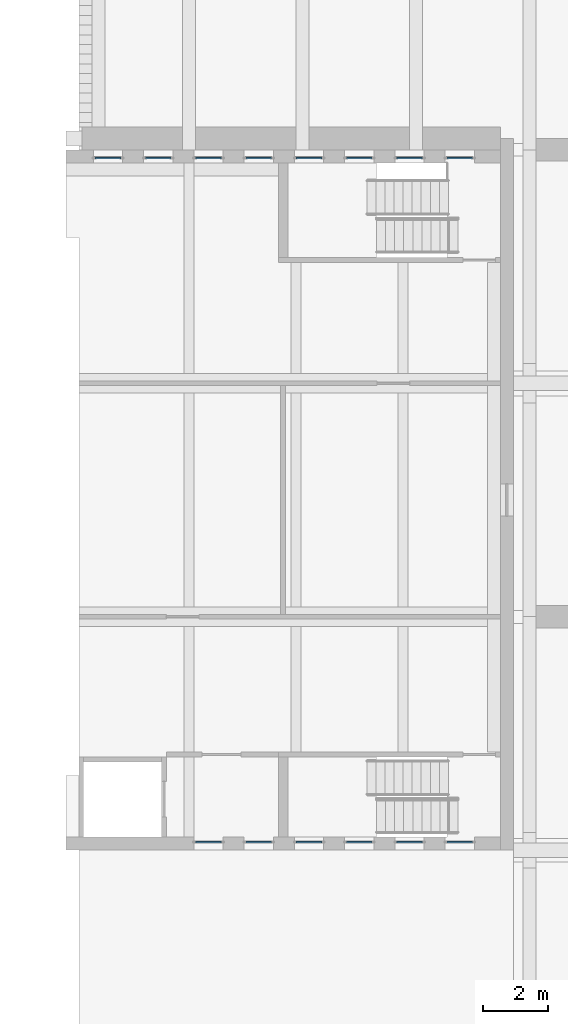
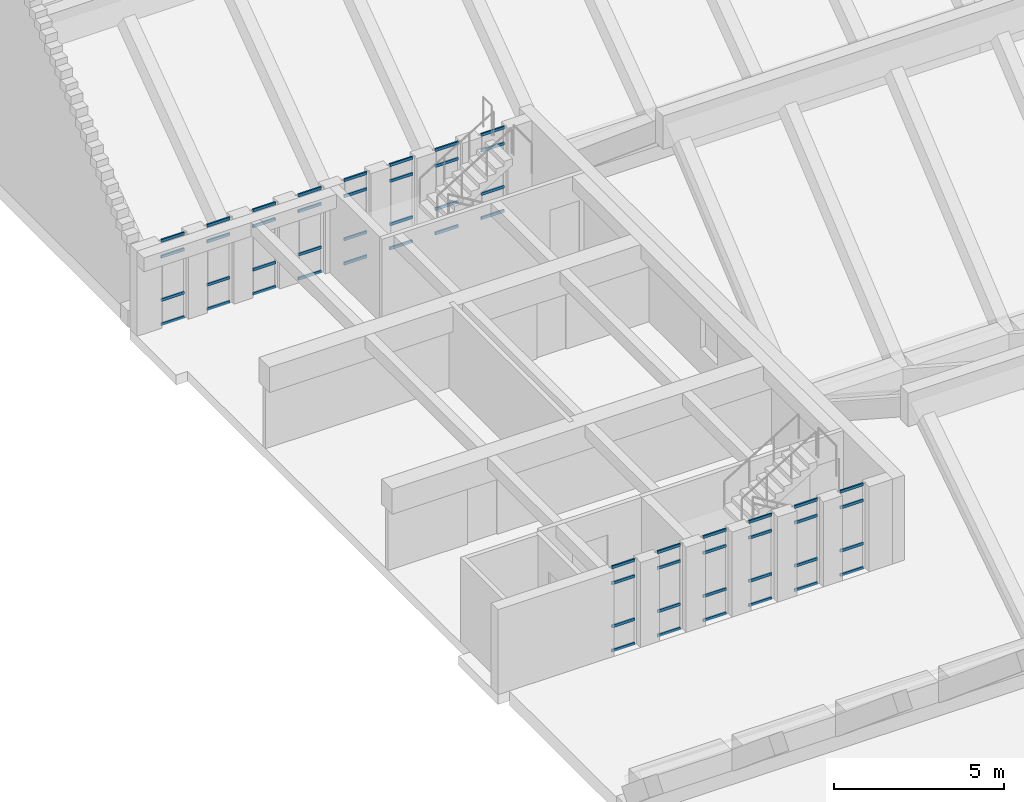
# One storey, part 15 of 31: 56 members, 14 elements without a shape of their own.
"""IFC4 building model written with IfcOpenShell, lengths in metres."""

from ifc_helpers import new_model, si_unit, direction, frame, origin, origin_2d, place, context, subcontext, project, spatial, rectangle, extrude, material, material_profile, profile_set, type_object, element, aggregate, save


model = new_model("IFC4")

# Units and contexts
model_context = context("Model", 3, precision=1e-05, world=origin(), true_north=direction((0.0, 1.0)))
body_context = subcontext(model_context, "Body", "Model", "MODEL_VIEW")
ifc_project = project(units=[si_unit("LENGTHUNIT", "METRE"), si_unit("AREAUNIT", "SQUARE_METRE"), si_unit("VOLUMEUNIT", "CUBIC_METRE"), si_unit("PLANEANGLEUNIT", "RADIAN"), si_unit("MASSUNIT", "GRAM", prefix="KILO")], contexts=[model_context])

# Site, building, storey
site_placement = place(None, origin())
site = spatial("IfcSite", under=ifc_project, at=site_placement, CompositionType="ELEMENT")
building_placement = place(site_placement, origin())
building = spatial("IfcBuilding", under=site, at=building_placement, Name="Vermilion Court Aquatics Centre", CompositionType="ELEMENT")
storey_placement = place(building_placement, frame((0.0, 0.0, 16.5)))
storey = spatial("IfcBuildingStorey", under=building, at=storey_placement, Name="L03", CompositionType="ELEMENT", Elevation=16.5)

# Curtain wall, members
ifc_material_1 = material(Name="Aluminium 6063-T5", Category="aluminium")
curtain_wall_type = type_object("IfcCurtainWallType", Name="Diving Tower slot curtain wall 900 module", PredefinedType="NOTDEFINED", material=ifc_material_1)
curtain_wall_1_placement = place(storey_placement, origin())
curtain_wall_1 = element("IfcCurtainWall", 1, at=curtain_wall_1_placement, inside=storey, type_object=curtain_wall_type, Name="Diving Tower slot window north 1 L03", PredefinedType="NOTDEFINED")
ifc_material_2 = material(Name="Aluminium 6063-T5", Category="aluminium")
ifc_material_profile = material_profile(ifc_material_2, rectangle(XDim=0.050048828125, YDim=0.10009765625, at=origin_2d()), Name="AL 50x100")
ifc_profile_set = profile_set([ifc_material_profile], Name="Aluminium 6063-T5")
member_type = type_object("IfcMemberType", Name="Diving Tower slot transom 50x100", PredefinedType="USERDEFINED", material=ifc_profile_set)
member_1_placement = place(storey_placement, frame((145.010009765625, 57.35009765625, 0.030029296875), z_axis=(1.0, 0.0, 0.0), x_axis=(0.0, 1.0, 0.0)))
member_1 = element("IfcMember", 2, at=member_1_placement, type_object=member_type, Name="UCW3 transom 1.1", ObjectType="TRANSOM", PredefinedType="USERDEFINED", context=body_context, shape_type="SweptSolid", body=[
    extrude(rectangle(XDim=0.050048828125, YDim=0.10009765625, at=origin_2d()), origin(), (0.0, 0.0, 1.0), 0.780029296875),
])
member_2_placement = place(storey_placement, frame((145.010009765625, 57.35009765625, 0.89990234375), z_axis=(1.0, 0.0, 0.0), x_axis=(0.0, 1.0, 0.0)))
member_2 = element("IfcMember", 3, at=member_2_placement, type_object=member_type, Name="UCW3 transom 1.2", ObjectType="TRANSOM", PredefinedType="USERDEFINED", context=body_context, shape_type="SweptSolid", body=[
    extrude(rectangle(XDim=0.050048828125, YDim=0.10009765625, at=origin_2d()), origin(), (0.0, 0.0, 1.0), 0.780029296875),
])
member_3_placement = place(storey_placement, frame((145.010009765625, 57.35009765625, 2.449951171875), z_axis=(1.0, 0.0, 0.0), x_axis=(0.0, 1.0, 0.0)))
member_3 = element("IfcMember", 4, at=member_3_placement, type_object=member_type, Name="UCW3 transom 1.3", ObjectType="TRANSOM", PredefinedType="USERDEFINED", context=body_context, shape_type="SweptSolid", body=[
    extrude(rectangle(XDim=0.050048828125, YDim=0.10009765625, at=origin_2d()), origin(), (0.0, 0.0, 1.0), 0.780029296875),
])
member_4_placement = place(storey_placement, frame((145.010009765625, 57.35009765625, 3.02001953125), z_axis=(1.0, 0.0, 0.0), x_axis=(0.0, 1.0, 0.0)))
member_4 = element("IfcMember", 5, at=member_4_placement, type_object=member_type, Name="UCW3 transom 1.4", ObjectType="TRANSOM", PredefinedType="USERDEFINED", context=body_context, shape_type="SweptSolid", body=[
    extrude(rectangle(XDim=0.050048828125, YDim=0.10009765625, at=origin_2d()), origin(), (0.0, 0.0, 1.0), 0.780029296875),
])
aggregate(curtain_wall_1, [member_1, member_2, member_3, member_4])

curtain_wall_2_placement = place(storey_placement, origin())
curtain_wall_2 = element("IfcCurtainWall", 6, at=curtain_wall_2_placement, inside=storey, type_object=curtain_wall_type, Name="Diving Tower slot window north 2 L03", PredefinedType="NOTDEFINED")
member_5_placement = place(storey_placement, frame((146.56005859375, 57.35009765625, 0.030029296875), z_axis=(1.0, 0.0, 0.0), x_axis=(0.0, 1.0, 0.0)))
member_5 = element("IfcMember", 7, at=member_5_placement, type_object=member_type, Name="UCW3 transom 1.1", ObjectType="TRANSOM", PredefinedType="USERDEFINED", context=body_context, shape_type="SweptSolid", body=[
    extrude(rectangle(XDim=0.050048828125, YDim=0.10009765625, at=origin_2d()), origin(), (0.0, 0.0, 1.0), 0.780029296875),
])
member_6_placement = place(storey_placement, frame((146.56005859375, 57.35009765625, 0.89990234375), z_axis=(1.0, 0.0, 0.0), x_axis=(0.0, 1.0, 0.0)))
member_6 = element("IfcMember", 8, at=member_6_placement, type_object=member_type, Name="UCW3 transom 1.2", ObjectType="TRANSOM", PredefinedType="USERDEFINED", context=body_context, shape_type="SweptSolid", body=[
    extrude(rectangle(XDim=0.050048828125, YDim=0.10009765625, at=origin_2d()), origin(), (0.0, 0.0, 1.0), 0.780029296875),
])
member_7_placement = place(storey_placement, frame((146.56005859375, 57.35009765625, 2.449951171875), z_axis=(1.0, 0.0, 0.0), x_axis=(0.0, 1.0, 0.0)))
member_7 = element("IfcMember", 9, at=member_7_placement, type_object=member_type, Name="UCW3 transom 1.3", ObjectType="TRANSOM", PredefinedType="USERDEFINED", context=body_context, shape_type="SweptSolid", body=[
    extrude(rectangle(XDim=0.050048828125, YDim=0.10009765625, at=origin_2d()), origin(), (0.0, 0.0, 1.0), 0.780029296875),
])
member_8_placement = place(storey_placement, frame((146.56005859375, 57.35009765625, 3.02001953125), z_axis=(1.0, 0.0, 0.0), x_axis=(0.0, 1.0, 0.0)))
member_8 = element("IfcMember", 10, at=member_8_placement, type_object=member_type, Name="UCW3 transom 1.4", ObjectType="TRANSOM", PredefinedType="USERDEFINED", context=body_context, shape_type="SweptSolid", body=[
    extrude(rectangle(XDim=0.050048828125, YDim=0.10009765625, at=origin_2d()), origin(), (0.0, 0.0, 1.0), 0.780029296875),
])
aggregate(curtain_wall_2, [member_5, member_6, member_7, member_8])

curtain_wall_3_placement = place(storey_placement, origin())
curtain_wall_3 = element("IfcCurtainWall", 11, at=curtain_wall_3_placement, inside=storey, type_object=curtain_wall_type, Name="Diving Tower slot window north 3 L03", PredefinedType="NOTDEFINED")
member_9_placement = place(storey_placement, frame((148.110107421875, 57.35009765625, 0.030029296875), z_axis=(1.0, 0.0, 0.0), x_axis=(0.0, 1.0, 0.0)))
member_9 = element("IfcMember", 12, at=member_9_placement, type_object=member_type, Name="UCW3 transom 1.1", ObjectType="TRANSOM", PredefinedType="USERDEFINED", context=body_context, shape_type="SweptSolid", body=[
    extrude(rectangle(XDim=0.050048828125, YDim=0.10009765625, at=origin_2d()), origin(), (0.0, 0.0, 1.0), 0.77978515625),
])
member_10_placement = place(storey_placement, frame((148.110107421875, 57.35009765625, 0.89990234375), z_axis=(1.0, 0.0, 0.0), x_axis=(0.0, 1.0, 0.0)))
member_10 = element("IfcMember", 13, at=member_10_placement, type_object=member_type, Name="UCW3 transom 1.2", ObjectType="TRANSOM", PredefinedType="USERDEFINED", context=body_context, shape_type="SweptSolid", body=[
    extrude(rectangle(XDim=0.050048828125, YDim=0.10009765625, at=origin_2d()), origin(), (0.0, 0.0, 1.0), 0.77978515625),
])
member_11_placement = place(storey_placement, frame((148.110107421875, 57.35009765625, 2.449951171875), z_axis=(1.0, 0.0, 0.0), x_axis=(0.0, 1.0, 0.0)))
member_11 = element("IfcMember", 14, at=member_11_placement, type_object=member_type, Name="UCW3 transom 1.3", ObjectType="TRANSOM", PredefinedType="USERDEFINED", context=body_context, shape_type="SweptSolid", body=[
    extrude(rectangle(XDim=0.050048828125, YDim=0.10009765625, at=origin_2d()), origin(), (0.0, 0.0, 1.0), 0.77978515625),
])
member_12_placement = place(storey_placement, frame((148.110107421875, 57.35009765625, 3.02001953125), z_axis=(1.0, 0.0, 0.0), x_axis=(0.0, 1.0, 0.0)))
member_12 = element("IfcMember", 15, at=member_12_placement, type_object=member_type, Name="UCW3 transom 1.4", ObjectType="TRANSOM", PredefinedType="USERDEFINED", context=body_context, shape_type="SweptSolid", body=[
    extrude(rectangle(XDim=0.050048828125, YDim=0.10009765625, at=origin_2d()), origin(), (0.0, 0.0, 1.0), 0.77978515625),
])
aggregate(curtain_wall_3, [member_9, member_10, member_11, member_12])

curtain_wall_4_placement = place(storey_placement, origin())
curtain_wall_4 = element("IfcCurtainWall", 16, at=curtain_wall_4_placement, inside=storey, type_object=curtain_wall_type, Name="Diving Tower slot window north 4 L03", PredefinedType="NOTDEFINED")
member_13_placement = place(storey_placement, frame((149.659912109375, 57.35009765625, 0.030029296875), z_axis=(1.0, 0.0, 0.0), x_axis=(0.0, 1.0, 0.0)))
member_13 = element("IfcMember", 17, at=member_13_placement, type_object=member_type, Name="UCW3 transom 1.1", ObjectType="TRANSOM", PredefinedType="USERDEFINED", context=body_context, shape_type="SweptSolid", body=[
    extrude(rectangle(XDim=0.050048828125, YDim=0.10009765625, at=origin_2d()), origin(), (0.0, 0.0, 1.0), 0.780029296875),
])
member_14_placement = place(storey_placement, frame((149.659912109375, 57.35009765625, 0.89990234375), z_axis=(1.0, 0.0, 0.0), x_axis=(0.0, 1.0, 0.0)))
member_14 = element("IfcMember", 18, at=member_14_placement, type_object=member_type, Name="UCW3 transom 1.2", ObjectType="TRANSOM", PredefinedType="USERDEFINED", context=body_context, shape_type="SweptSolid", body=[
    extrude(rectangle(XDim=0.050048828125, YDim=0.10009765625, at=origin_2d()), origin(), (0.0, 0.0, 1.0), 0.780029296875),
])
member_15_placement = place(storey_placement, frame((149.659912109375, 57.35009765625, 2.449951171875), z_axis=(1.0, 0.0, 0.0), x_axis=(0.0, 1.0, 0.0)))
member_15 = element("IfcMember", 19, at=member_15_placement, type_object=member_type, Name="UCW3 transom 1.3", ObjectType="TRANSOM", PredefinedType="USERDEFINED", context=body_context, shape_type="SweptSolid", body=[
    extrude(rectangle(XDim=0.050048828125, YDim=0.10009765625, at=origin_2d()), origin(), (0.0, 0.0, 1.0), 0.780029296875),
])
member_16_placement = place(storey_placement, frame((149.659912109375, 57.35009765625, 3.02001953125), z_axis=(1.0, 0.0, 0.0), x_axis=(0.0, 1.0, 0.0)))
member_16 = element("IfcMember", 20, at=member_16_placement, type_object=member_type, Name="UCW3 transom 1.4", ObjectType="TRANSOM", PredefinedType="USERDEFINED", context=body_context, shape_type="SweptSolid", body=[
    extrude(rectangle(XDim=0.050048828125, YDim=0.10009765625, at=origin_2d()), origin(), (0.0, 0.0, 1.0), 0.780029296875),
])
aggregate(curtain_wall_4, [member_13, member_14, member_15, member_16])

curtain_wall_5_placement = place(storey_placement, origin())
curtain_wall_5 = element("IfcCurtainWall", 21, at=curtain_wall_5_placement, inside=storey, type_object=curtain_wall_type, Name="Diving Tower slot window north 5 L03", PredefinedType="NOTDEFINED")
member_17_placement = place(storey_placement, frame((151.2099609375, 57.35009765625, 0.030029296875), z_axis=(1.0, 0.0, 0.0), x_axis=(0.0, 1.0, 0.0)))
member_17 = element("IfcMember", 22, at=member_17_placement, type_object=member_type, Name="UCW3 transom 1.1", ObjectType="TRANSOM", PredefinedType="USERDEFINED", context=body_context, shape_type="SweptSolid", body=[
    extrude(rectangle(XDim=0.050048828125, YDim=0.10009765625, at=origin_2d()), origin(), (0.0, 0.0, 1.0), 0.780029296875),
])
member_18_placement = place(storey_placement, frame((151.2099609375, 57.35009765625, 0.89990234375), z_axis=(1.0, 0.0, 0.0), x_axis=(0.0, 1.0, 0.0)))
member_18 = element("IfcMember", 23, at=member_18_placement, type_object=member_type, Name="UCW3 transom 1.2", ObjectType="TRANSOM", PredefinedType="USERDEFINED", context=body_context, shape_type="SweptSolid", body=[
    extrude(rectangle(XDim=0.050048828125, YDim=0.10009765625, at=origin_2d()), origin(), (0.0, 0.0, 1.0), 0.780029296875),
])
member_19_placement = place(storey_placement, frame((151.2099609375, 57.35009765625, 2.449951171875), z_axis=(1.0, 0.0, 0.0), x_axis=(0.0, 1.0, 0.0)))
member_19 = element("IfcMember", 24, at=member_19_placement, type_object=member_type, Name="UCW3 transom 1.3", ObjectType="TRANSOM", PredefinedType="USERDEFINED", context=body_context, shape_type="SweptSolid", body=[
    extrude(rectangle(XDim=0.050048828125, YDim=0.10009765625, at=origin_2d()), origin(), (0.0, 0.0, 1.0), 0.780029296875),
])
member_20_placement = place(storey_placement, frame((151.2099609375, 57.35009765625, 3.02001953125), z_axis=(1.0, 0.0, 0.0), x_axis=(0.0, 1.0, 0.0)))
member_20 = element("IfcMember", 25, at=member_20_placement, type_object=member_type, Name="UCW3 transom 1.4", ObjectType="TRANSOM", PredefinedType="USERDEFINED", context=body_context, shape_type="SweptSolid", body=[
    extrude(rectangle(XDim=0.050048828125, YDim=0.10009765625, at=origin_2d()), origin(), (0.0, 0.0, 1.0), 0.780029296875),
])
aggregate(curtain_wall_5, [member_17, member_18, member_19, member_20])

curtain_wall_6_placement = place(storey_placement, origin())
curtain_wall_6 = element("IfcCurtainWall", 26, at=curtain_wall_6_placement, inside=storey, type_object=curtain_wall_type, Name="Diving Tower slot window north 6 L03", PredefinedType="NOTDEFINED")
member_21_placement = place(storey_placement, frame((152.760009765625, 57.35009765625, 0.030029296875), z_axis=(1.0, 0.0, 0.0), x_axis=(0.0, 1.0, 0.0)))
member_21 = element("IfcMember", 27, at=member_21_placement, type_object=member_type, Name="UCW3 transom 1.1", ObjectType="TRANSOM", PredefinedType="USERDEFINED", context=body_context, shape_type="SweptSolid", body=[
    extrude(rectangle(XDim=0.050048828125, YDim=0.10009765625, at=origin_2d()), origin(), (0.0, 0.0, 1.0), 0.780029296875),
])
member_22_placement = place(storey_placement, frame((152.760009765625, 57.35009765625, 0.89990234375), z_axis=(1.0, 0.0, 0.0), x_axis=(0.0, 1.0, 0.0)))
member_22 = element("IfcMember", 28, at=member_22_placement, type_object=member_type, Name="UCW3 transom 1.2", ObjectType="TRANSOM", PredefinedType="USERDEFINED", context=body_context, shape_type="SweptSolid", body=[
    extrude(rectangle(XDim=0.050048828125, YDim=0.10009765625, at=origin_2d()), origin(), (0.0, 0.0, 1.0), 0.780029296875),
])
member_23_placement = place(storey_placement, frame((152.760009765625, 57.35009765625, 2.449951171875), z_axis=(1.0, 0.0, 0.0), x_axis=(0.0, 1.0, 0.0)))
member_23 = element("IfcMember", 29, at=member_23_placement, type_object=member_type, Name="UCW3 transom 1.3", ObjectType="TRANSOM", PredefinedType="USERDEFINED", context=body_context, shape_type="SweptSolid", body=[
    extrude(rectangle(XDim=0.050048828125, YDim=0.10009765625, at=origin_2d()), origin(), (0.0, 0.0, 1.0), 0.780029296875),
])
member_24_placement = place(storey_placement, frame((152.760009765625, 57.35009765625, 3.02001953125), z_axis=(1.0, 0.0, 0.0), x_axis=(0.0, 1.0, 0.0)))
member_24 = element("IfcMember", 30, at=member_24_placement, type_object=member_type, Name="UCW3 transom 1.4", ObjectType="TRANSOM", PredefinedType="USERDEFINED", context=body_context, shape_type="SweptSolid", body=[
    extrude(rectangle(XDim=0.050048828125, YDim=0.10009765625, at=origin_2d()), origin(), (0.0, 0.0, 1.0), 0.780029296875),
])
aggregate(curtain_wall_6, [member_21, member_22, member_23, member_24])

curtain_wall_7_placement = place(storey_placement, origin())
curtain_wall_7 = element("IfcCurtainWall", 31, at=curtain_wall_7_placement, inside=storey, type_object=curtain_wall_type, Name="Diving Tower slot window north 7 L03", PredefinedType="NOTDEFINED")
member_25_placement = place(storey_placement, frame((154.31005859375, 57.35009765625, 0.030029296875), z_axis=(1.0, 0.0, 0.0), x_axis=(0.0, 1.0, 0.0)))
member_25 = element("IfcMember", 32, at=member_25_placement, type_object=member_type, Name="UCW3 transom 1.1", ObjectType="TRANSOM", PredefinedType="USERDEFINED", context=body_context, shape_type="SweptSolid", body=[
    extrude(rectangle(XDim=0.050048828125, YDim=0.10009765625, at=origin_2d()), origin(), (0.0, 0.0, 1.0), 0.780029296875),
])
member_26_placement = place(storey_placement, frame((154.31005859375, 57.35009765625, 0.89990234375), z_axis=(1.0, 0.0, 0.0), x_axis=(0.0, 1.0, 0.0)))
member_26 = element("IfcMember", 33, at=member_26_placement, type_object=member_type, Name="UCW3 transom 1.2", ObjectType="TRANSOM", PredefinedType="USERDEFINED", context=body_context, shape_type="SweptSolid", body=[
    extrude(rectangle(XDim=0.050048828125, YDim=0.10009765625, at=origin_2d()), origin(), (0.0, 0.0, 1.0), 0.780029296875),
])
member_27_placement = place(storey_placement, frame((154.31005859375, 57.35009765625, 2.449951171875), z_axis=(1.0, 0.0, 0.0), x_axis=(0.0, 1.0, 0.0)))
member_27 = element("IfcMember", 34, at=member_27_placement, type_object=member_type, Name="UCW3 transom 1.3", ObjectType="TRANSOM", PredefinedType="USERDEFINED", context=body_context, shape_type="SweptSolid", body=[
    extrude(rectangle(XDim=0.050048828125, YDim=0.10009765625, at=origin_2d()), origin(), (0.0, 0.0, 1.0), 0.780029296875),
])
member_28_placement = place(storey_placement, frame((154.31005859375, 57.35009765625, 3.02001953125), z_axis=(1.0, 0.0, 0.0), x_axis=(0.0, 1.0, 0.0)))
member_28 = element("IfcMember", 35, at=member_28_placement, type_object=member_type, Name="UCW3 transom 1.4", ObjectType="TRANSOM", PredefinedType="USERDEFINED", context=body_context, shape_type="SweptSolid", body=[
    extrude(rectangle(XDim=0.050048828125, YDim=0.10009765625, at=origin_2d()), origin(), (0.0, 0.0, 1.0), 0.780029296875),
])
aggregate(curtain_wall_7, [member_25, member_26, member_27, member_28])

curtain_wall_8_placement = place(storey_placement, origin())
curtain_wall_8 = element("IfcCurtainWall", 36, at=curtain_wall_8_placement, inside=storey, type_object=curtain_wall_type, Name="Diving Tower slot window north 8 L03", PredefinedType="NOTDEFINED")
member_29_placement = place(storey_placement, frame((155.860107421875, 57.35009765625, 0.030029296875), z_axis=(1.0, 0.0, 0.0), x_axis=(0.0, 1.0, 0.0)))
member_29 = element("IfcMember", 37, at=member_29_placement, type_object=member_type, Name="UCW3 transom 1.1", ObjectType="TRANSOM", PredefinedType="USERDEFINED", context=body_context, shape_type="SweptSolid", body=[
    extrude(rectangle(XDim=0.050048828125, YDim=0.10009765625, at=origin_2d()), origin(), (0.0, 0.0, 1.0), 0.77978515625),
])
member_30_placement = place(storey_placement, frame((155.860107421875, 57.35009765625, 0.89990234375), z_axis=(1.0, 0.0, 0.0), x_axis=(0.0, 1.0, 0.0)))
member_30 = element("IfcMember", 38, at=member_30_placement, type_object=member_type, Name="UCW3 transom 1.2", ObjectType="TRANSOM", PredefinedType="USERDEFINED", context=body_context, shape_type="SweptSolid", body=[
    extrude(rectangle(XDim=0.050048828125, YDim=0.10009765625, at=origin_2d()), origin(), (0.0, 0.0, 1.0), 0.77978515625),
])
member_31_placement = place(storey_placement, frame((155.860107421875, 57.35009765625, 2.449951171875), z_axis=(1.0, 0.0, 0.0), x_axis=(0.0, 1.0, 0.0)))
member_31 = element("IfcMember", 39, at=member_31_placement, type_object=member_type, Name="UCW3 transom 1.3", ObjectType="TRANSOM", PredefinedType="USERDEFINED", context=body_context, shape_type="SweptSolid", body=[
    extrude(rectangle(XDim=0.050048828125, YDim=0.10009765625, at=origin_2d()), origin(), (0.0, 0.0, 1.0), 0.77978515625),
])
member_32_placement = place(storey_placement, frame((155.860107421875, 57.35009765625, 3.02001953125), z_axis=(1.0, 0.0, 0.0), x_axis=(0.0, 1.0, 0.0)))
member_32 = element("IfcMember", 40, at=member_32_placement, type_object=member_type, Name="UCW3 transom 1.4", ObjectType="TRANSOM", PredefinedType="USERDEFINED", context=body_context, shape_type="SweptSolid", body=[
    extrude(rectangle(XDim=0.050048828125, YDim=0.10009765625, at=origin_2d()), origin(), (0.0, 0.0, 1.0), 0.77978515625),
])
aggregate(curtain_wall_8, [member_29, member_30, member_31, member_32])

curtain_wall_9_placement = place(storey_placement, origin())
curtain_wall_9 = element("IfcCurtainWall", 41, at=curtain_wall_9_placement, inside=storey, type_object=curtain_wall_type, Name="Diving Tower slot window south 1 L03", PredefinedType="NOTDEFINED")
member_33_placement = place(storey_placement, frame((148.110107421875, 36.25, 0.030029296875), z_axis=(1.0, 0.0, 0.0), x_axis=(0.0, 1.0, 0.0)))
member_33 = element("IfcMember", 42, at=member_33_placement, type_object=member_type, Name="UCW3 transom 1.1", ObjectType="TRANSOM", PredefinedType="USERDEFINED", context=body_context, shape_type="SweptSolid", body=[
    extrude(rectangle(XDim=0.050048828125, YDim=0.10009765625, at=origin_2d()), origin(), (0.0, 0.0, 1.0), 0.77978515625),
])
member_34_placement = place(storey_placement, frame((148.110107421875, 36.25, 0.89990234375), z_axis=(1.0, 0.0, 0.0), x_axis=(0.0, 1.0, 0.0)))
member_34 = element("IfcMember", 43, at=member_34_placement, type_object=member_type, Name="UCW3 transom 1.2", ObjectType="TRANSOM", PredefinedType="USERDEFINED", context=body_context, shape_type="SweptSolid", body=[
    extrude(rectangle(XDim=0.050048828125, YDim=0.10009765625, at=origin_2d()), origin(), (0.0, 0.0, 1.0), 0.77978515625),
])
member_35_placement = place(storey_placement, frame((148.110107421875, 36.25, 2.449951171875), z_axis=(1.0, 0.0, 0.0), x_axis=(0.0, 1.0, 0.0)))
member_35 = element("IfcMember", 44, at=member_35_placement, type_object=member_type, Name="UCW3 transom 1.3", ObjectType="TRANSOM", PredefinedType="USERDEFINED", context=body_context, shape_type="SweptSolid", body=[
    extrude(rectangle(XDim=0.050048828125, YDim=0.10009765625, at=origin_2d()), origin(), (0.0, 0.0, 1.0), 0.77978515625),
])
member_36_placement = place(storey_placement, frame((148.110107421875, 36.25, 3.02001953125), z_axis=(1.0, 0.0, 0.0), x_axis=(0.0, 1.0, 0.0)))
member_36 = element("IfcMember", 45, at=member_36_placement, type_object=member_type, Name="UCW3 transom 1.4", ObjectType="TRANSOM", PredefinedType="USERDEFINED", context=body_context, shape_type="SweptSolid", body=[
    extrude(rectangle(XDim=0.050048828125, YDim=0.10009765625, at=origin_2d()), origin(), (0.0, 0.0, 1.0), 0.77978515625),
])
aggregate(curtain_wall_9, [member_33, member_34, member_35, member_36])

curtain_wall_10_placement = place(storey_placement, origin())
curtain_wall_10 = element("IfcCurtainWall", 46, at=curtain_wall_10_placement, inside=storey, type_object=curtain_wall_type, Name="Diving Tower slot window south 2 L03", PredefinedType="NOTDEFINED")
member_37_placement = place(storey_placement, frame((149.659912109375, 36.25, 0.030029296875), z_axis=(1.0, 0.0, 0.0), x_axis=(0.0, 1.0, 0.0)))
member_37 = element("IfcMember", 47, at=member_37_placement, type_object=member_type, Name="UCW3 transom 1.1", ObjectType="TRANSOM", PredefinedType="USERDEFINED", context=body_context, shape_type="SweptSolid", body=[
    extrude(rectangle(XDim=0.050048828125, YDim=0.10009765625, at=origin_2d()), origin(), (0.0, 0.0, 1.0), 0.780029296875),
])
member_38_placement = place(storey_placement, frame((149.659912109375, 36.25, 0.89990234375), z_axis=(1.0, 0.0, 0.0), x_axis=(0.0, 1.0, 0.0)))
member_38 = element("IfcMember", 48, at=member_38_placement, type_object=member_type, Name="UCW3 transom 1.2", ObjectType="TRANSOM", PredefinedType="USERDEFINED", context=body_context, shape_type="SweptSolid", body=[
    extrude(rectangle(XDim=0.050048828125, YDim=0.10009765625, at=origin_2d()), origin(), (0.0, 0.0, 1.0), 0.780029296875),
])
member_39_placement = place(storey_placement, frame((149.659912109375, 36.25, 2.449951171875), z_axis=(1.0, 0.0, 0.0), x_axis=(0.0, 1.0, 0.0)))
member_39 = element("IfcMember", 49, at=member_39_placement, type_object=member_type, Name="UCW3 transom 1.3", ObjectType="TRANSOM", PredefinedType="USERDEFINED", context=body_context, shape_type="SweptSolid", body=[
    extrude(rectangle(XDim=0.050048828125, YDim=0.10009765625, at=origin_2d()), origin(), (0.0, 0.0, 1.0), 0.780029296875),
])
member_40_placement = place(storey_placement, frame((149.659912109375, 36.25, 3.02001953125), z_axis=(1.0, 0.0, 0.0), x_axis=(0.0, 1.0, 0.0)))
member_40 = element("IfcMember", 50, at=member_40_placement, type_object=member_type, Name="UCW3 transom 1.4", ObjectType="TRANSOM", PredefinedType="USERDEFINED", context=body_context, shape_type="SweptSolid", body=[
    extrude(rectangle(XDim=0.050048828125, YDim=0.10009765625, at=origin_2d()), origin(), (0.0, 0.0, 1.0), 0.780029296875),
])
aggregate(curtain_wall_10, [member_37, member_38, member_39, member_40])

curtain_wall_11_placement = place(storey_placement, origin())
curtain_wall_11 = element("IfcCurtainWall", 51, at=curtain_wall_11_placement, inside=storey, type_object=curtain_wall_type, Name="Diving Tower slot window south 3 L03", PredefinedType="NOTDEFINED")
member_41_placement = place(storey_placement, frame((151.2099609375, 36.25, 0.030029296875), z_axis=(1.0, 0.0, 0.0), x_axis=(0.0, 1.0, 0.0)))
member_41 = element("IfcMember", 52, at=member_41_placement, type_object=member_type, Name="UCW3 transom 1.1", ObjectType="TRANSOM", PredefinedType="USERDEFINED", context=body_context, shape_type="SweptSolid", body=[
    extrude(rectangle(XDim=0.050048828125, YDim=0.10009765625, at=origin_2d()), origin(), (0.0, 0.0, 1.0), 0.780029296875),
])
member_42_placement = place(storey_placement, frame((151.2099609375, 36.25, 0.89990234375), z_axis=(1.0, 0.0, 0.0), x_axis=(0.0, 1.0, 0.0)))
member_42 = element("IfcMember", 53, at=member_42_placement, type_object=member_type, Name="UCW3 transom 1.2", ObjectType="TRANSOM", PredefinedType="USERDEFINED", context=body_context, shape_type="SweptSolid", body=[
    extrude(rectangle(XDim=0.050048828125, YDim=0.10009765625, at=origin_2d()), origin(), (0.0, 0.0, 1.0), 0.780029296875),
])
member_43_placement = place(storey_placement, frame((151.2099609375, 36.25, 2.449951171875), z_axis=(1.0, 0.0, 0.0), x_axis=(0.0, 1.0, 0.0)))
member_43 = element("IfcMember", 54, at=member_43_placement, type_object=member_type, Name="UCW3 transom 1.3", ObjectType="TRANSOM", PredefinedType="USERDEFINED", context=body_context, shape_type="SweptSolid", body=[
    extrude(rectangle(XDim=0.050048828125, YDim=0.10009765625, at=origin_2d()), origin(), (0.0, 0.0, 1.0), 0.780029296875),
])
member_44_placement = place(storey_placement, frame((151.2099609375, 36.25, 3.02001953125), z_axis=(1.0, 0.0, 0.0), x_axis=(0.0, 1.0, 0.0)))
member_44 = element("IfcMember", 55, at=member_44_placement, type_object=member_type, Name="UCW3 transom 1.4", ObjectType="TRANSOM", PredefinedType="USERDEFINED", context=body_context, shape_type="SweptSolid", body=[
    extrude(rectangle(XDim=0.050048828125, YDim=0.10009765625, at=origin_2d()), origin(), (0.0, 0.0, 1.0), 0.780029296875),
])
aggregate(curtain_wall_11, [member_41, member_42, member_43, member_44])

curtain_wall_12_placement = place(storey_placement, origin())
curtain_wall_12 = element("IfcCurtainWall", 56, at=curtain_wall_12_placement, inside=storey, type_object=curtain_wall_type, Name="Diving Tower slot window south 4 L03", PredefinedType="NOTDEFINED")
member_45_placement = place(storey_placement, frame((152.760009765625, 36.25, 0.030029296875), z_axis=(1.0, 0.0, 0.0), x_axis=(0.0, 1.0, 0.0)))
member_45 = element("IfcMember", 57, at=member_45_placement, type_object=member_type, Name="UCW3 transom 1.1", ObjectType="TRANSOM", PredefinedType="USERDEFINED", context=body_context, shape_type="SweptSolid", body=[
    extrude(rectangle(XDim=0.050048828125, YDim=0.10009765625, at=origin_2d()), origin(), (0.0, 0.0, 1.0), 0.780029296875),
])
member_46_placement = place(storey_placement, frame((152.760009765625, 36.25, 0.89990234375), z_axis=(1.0, 0.0, 0.0), x_axis=(0.0, 1.0, 0.0)))
member_46 = element("IfcMember", 58, at=member_46_placement, type_object=member_type, Name="UCW3 transom 1.2", ObjectType="TRANSOM", PredefinedType="USERDEFINED", context=body_context, shape_type="SweptSolid", body=[
    extrude(rectangle(XDim=0.050048828125, YDim=0.10009765625, at=origin_2d()), origin(), (0.0, 0.0, 1.0), 0.780029296875),
])
member_47_placement = place(storey_placement, frame((152.760009765625, 36.25, 2.449951171875), z_axis=(1.0, 0.0, 0.0), x_axis=(0.0, 1.0, 0.0)))
member_47 = element("IfcMember", 59, at=member_47_placement, type_object=member_type, Name="UCW3 transom 1.3", ObjectType="TRANSOM", PredefinedType="USERDEFINED", context=body_context, shape_type="SweptSolid", body=[
    extrude(rectangle(XDim=0.050048828125, YDim=0.10009765625, at=origin_2d()), origin(), (0.0, 0.0, 1.0), 0.780029296875),
])
member_48_placement = place(storey_placement, frame((152.760009765625, 36.25, 3.02001953125), z_axis=(1.0, 0.0, 0.0), x_axis=(0.0, 1.0, 0.0)))
member_48 = element("IfcMember", 60, at=member_48_placement, type_object=member_type, Name="UCW3 transom 1.4", ObjectType="TRANSOM", PredefinedType="USERDEFINED", context=body_context, shape_type="SweptSolid", body=[
    extrude(rectangle(XDim=0.050048828125, YDim=0.10009765625, at=origin_2d()), origin(), (0.0, 0.0, 1.0), 0.780029296875),
])
aggregate(curtain_wall_12, [member_45, member_46, member_47, member_48])

curtain_wall_13_placement = place(storey_placement, origin())
curtain_wall_13 = element("IfcCurtainWall", 61, at=curtain_wall_13_placement, inside=storey, type_object=curtain_wall_type, Name="Diving Tower slot window south 5 L03", PredefinedType="NOTDEFINED")
member_49_placement = place(storey_placement, frame((154.31005859375, 36.25, 0.030029296875), z_axis=(1.0, 0.0, 0.0), x_axis=(0.0, 1.0, 0.0)))
member_49 = element("IfcMember", 62, at=member_49_placement, type_object=member_type, Name="UCW3 transom 1.1", ObjectType="TRANSOM", PredefinedType="USERDEFINED", context=body_context, shape_type="SweptSolid", body=[
    extrude(rectangle(XDim=0.050048828125, YDim=0.10009765625, at=origin_2d()), origin(), (0.0, 0.0, 1.0), 0.780029296875),
])
member_50_placement = place(storey_placement, frame((154.31005859375, 36.25, 0.89990234375), z_axis=(1.0, 0.0, 0.0), x_axis=(0.0, 1.0, 0.0)))
member_50 = element("IfcMember", 63, at=member_50_placement, type_object=member_type, Name="UCW3 transom 1.2", ObjectType="TRANSOM", PredefinedType="USERDEFINED", context=body_context, shape_type="SweptSolid", body=[
    extrude(rectangle(XDim=0.050048828125, YDim=0.10009765625, at=origin_2d()), origin(), (0.0, 0.0, 1.0), 0.780029296875),
])
member_51_placement = place(storey_placement, frame((154.31005859375, 36.25, 2.449951171875), z_axis=(1.0, 0.0, 0.0), x_axis=(0.0, 1.0, 0.0)))
member_51 = element("IfcMember", 64, at=member_51_placement, type_object=member_type, Name="UCW3 transom 1.3", ObjectType="TRANSOM", PredefinedType="USERDEFINED", context=body_context, shape_type="SweptSolid", body=[
    extrude(rectangle(XDim=0.050048828125, YDim=0.10009765625, at=origin_2d()), origin(), (0.0, 0.0, 1.0), 0.780029296875),
])
member_52_placement = place(storey_placement, frame((154.31005859375, 36.25, 3.02001953125), z_axis=(1.0, 0.0, 0.0), x_axis=(0.0, 1.0, 0.0)))
member_52 = element("IfcMember", 65, at=member_52_placement, type_object=member_type, Name="UCW3 transom 1.4", ObjectType="TRANSOM", PredefinedType="USERDEFINED", context=body_context, shape_type="SweptSolid", body=[
    extrude(rectangle(XDim=0.050048828125, YDim=0.10009765625, at=origin_2d()), origin(), (0.0, 0.0, 1.0), 0.780029296875),
])
aggregate(curtain_wall_13, [member_49, member_50, member_51, member_52])

curtain_wall_14_placement = place(storey_placement, origin())
curtain_wall_14 = element("IfcCurtainWall", 66, at=curtain_wall_14_placement, inside=storey, type_object=curtain_wall_type, Name="Diving Tower slot window south 6 L03", PredefinedType="NOTDEFINED")
member_53_placement = place(storey_placement, frame((155.860107421875, 36.25, 0.030029296875), z_axis=(1.0, 0.0, 0.0), x_axis=(0.0, 1.0, 0.0)))
member_53 = element("IfcMember", 67, at=member_53_placement, type_object=member_type, Name="UCW3 transom 1.1", ObjectType="TRANSOM", PredefinedType="USERDEFINED", context=body_context, shape_type="SweptSolid", body=[
    extrude(rectangle(XDim=0.050048828125, YDim=0.10009765625, at=origin_2d()), origin(), (0.0, 0.0, 1.0), 0.77978515625),
])
member_54_placement = place(storey_placement, frame((155.860107421875, 36.25, 0.89990234375), z_axis=(1.0, 0.0, 0.0), x_axis=(0.0, 1.0, 0.0)))
member_54 = element("IfcMember", 68, at=member_54_placement, type_object=member_type, Name="UCW3 transom 1.2", ObjectType="TRANSOM", PredefinedType="USERDEFINED", context=body_context, shape_type="SweptSolid", body=[
    extrude(rectangle(XDim=0.050048828125, YDim=0.10009765625, at=origin_2d()), origin(), (0.0, 0.0, 1.0), 0.77978515625),
])
member_55_placement = place(storey_placement, frame((155.860107421875, 36.25, 2.449951171875), z_axis=(1.0, 0.0, 0.0), x_axis=(0.0, 1.0, 0.0)))
member_55 = element("IfcMember", 69, at=member_55_placement, type_object=member_type, Name="UCW3 transom 1.3", ObjectType="TRANSOM", PredefinedType="USERDEFINED", context=body_context, shape_type="SweptSolid", body=[
    extrude(rectangle(XDim=0.050048828125, YDim=0.10009765625, at=origin_2d()), origin(), (0.0, 0.0, 1.0), 0.77978515625),
])
member_56_placement = place(storey_placement, frame((155.860107421875, 36.25, 3.02001953125), z_axis=(1.0, 0.0, 0.0), x_axis=(0.0, 1.0, 0.0)))
member_56 = element("IfcMember", 70, at=member_56_placement, type_object=member_type, Name="UCW3 transom 1.4", ObjectType="TRANSOM", PredefinedType="USERDEFINED", context=body_context, shape_type="SweptSolid", body=[
    extrude(rectangle(XDim=0.050048828125, YDim=0.10009765625, at=origin_2d()), origin(), (0.0, 0.0, 1.0), 0.77978515625),
])
aggregate(curtain_wall_14, [member_53, member_54, member_55, member_56])

save(model, "model.ifc")
